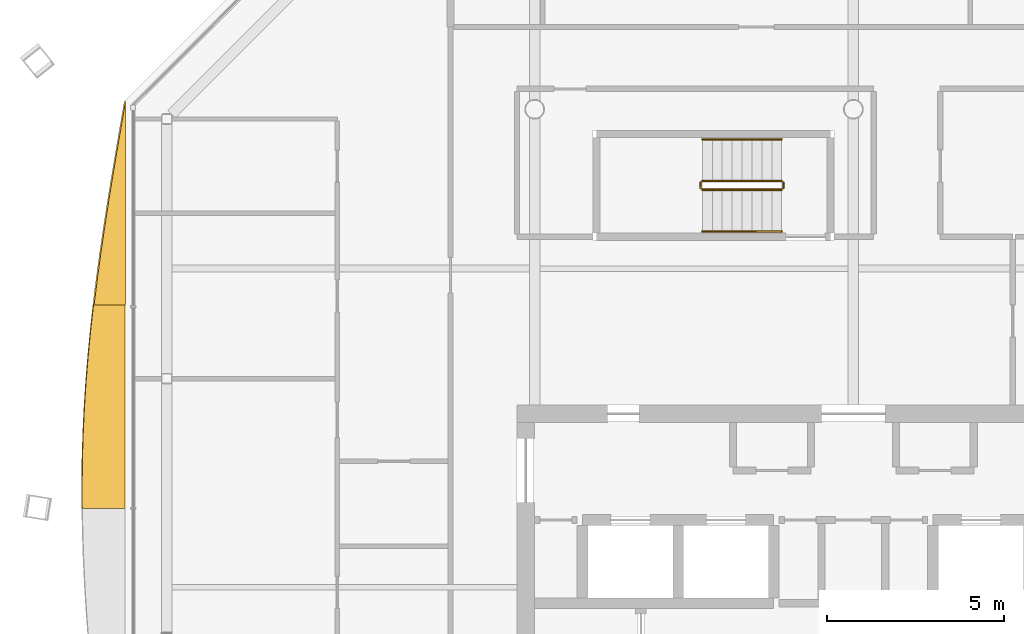
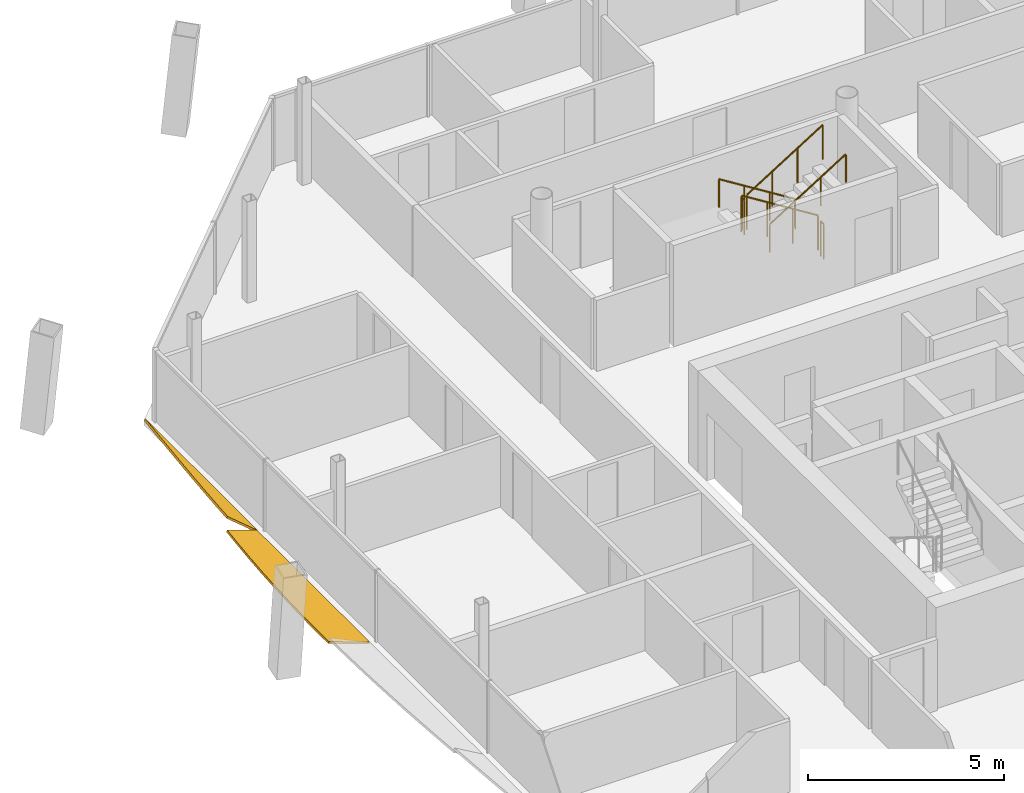
# One storey, part 15 of 16: 6 railings, 2 shading devices.
"""IFC4 building model written with IfcOpenShell, lengths in metres."""

import ifcopenshell
import ifcopenshell.guid

model = None  # the IFC model being written
_history = None  # IfcOwnerHistory: only IFC2X3 demands one
_inside = {}  # id of a spatial element -> (the spatial element, [elements in it])
_under = {}  # id of a project, library or spatial element -> (it, [spatial elements below it])
_declared = {}  # id of a project -> (the project, [libraries it declares])
_typed = {}  # id of a type object -> (the type object, [elements of that type])
_made_of = {}  # id of a material, layer set ... -> (it, [elements and type objects made of it])


def new_model(schema):
    """Start an empty IFC model of exactly this schema.

    Asked for "IFC4X3", IfcOpenShell would pick the latest addendum, in which some entities
    have other attributes; the version numbers below select the first issue.
    IFC2X3 requires an IfcOwnerHistory on every rooted entity: one is made here for all.
    """
    global model, _history
    if schema == "IFC4X3":
        model = ifcopenshell.file(schema_version=(4, 3, 0, 0))
    else:
        model = ifcopenshell.file(schema=schema)
    _inside.clear()
    _under.clear()
    _declared.clear()
    _typed.clear()
    _made_of.clear()
    _history = None
    if model.schema == "IFC2X3":
        org = make("IfcOrganization", Name="unknown")
        user = make(
            "IfcPersonAndOrganization",
            ThePerson=make("IfcPerson", FamilyName="unknown"),
            TheOrganization=org,
        )
        app = make(
            "IfcApplication",
            ApplicationDeveloper=org,
            Version="unknown",
            ApplicationFullName="unknown",
            ApplicationIdentifier="unknown",
        )
        _history = make(
            "IfcOwnerHistory",
            OwningUser=user,
            OwningApplication=app,
            ChangeAction="ADDED",
            CreationDate=0,
        )
    return model


def make(cls, **values):
    """One entity of the class cls with the attributes given. An attribute that is None is left unset."""
    return model.create_entity(
        cls, **{name: value for name, value in values.items() if value is not None}
    )


def rooted(cls, **values):
    """An entity with a GlobalId (a new one), such as an element, a storey or a relation."""
    return make(cls, GlobalId=ifcopenshell.guid.new(), OwnerHistory=_history, **values)


def si_unit(unit_type, name, prefix=None):
    """IfcSIUnit, for example si_unit("LENGTHUNIT", "METRE", prefix="MILLI")."""
    return make("IfcSIUnit", UnitType=unit_type, Prefix=prefix, Name=name)


def assignment(units):
    """IfcUnitAssignment: the units of a project."""
    return None if units is None else make("IfcUnitAssignment", Units=units)


def point(xyz):
    """IfcCartesianPoint."""
    return None if xyz is None else make("IfcCartesianPoint", Coordinates=xyz)


def direction(xyz):
    """IfcDirection."""
    return None if xyz is None else make("IfcDirection", DirectionRatios=xyz)


def frame(location, z_axis=None, x_axis=None):
    """IfcAxis2Placement3D, a coordinate frame: its origin and axes. An axis left out is left unset."""
    return make(
        "IfcAxis2Placement3D",
        Location=point(location),
        Axis=direction(z_axis),
        RefDirection=direction(x_axis),
    )


def frame_2d(location, x_axis=None):
    """IfcAxis2Placement2D, a coordinate frame in the plane: its origin and x axis."""
    return make(
        "IfcAxis2Placement2D", Location=point(location), RefDirection=direction(x_axis)
    )


def origin():
    """The frame at (0, 0, 0) with its axes left unset."""
    return frame((0.0, 0.0, 0.0))


def origin_2d():
    """The frame at (0, 0) in the plane with its x axis left unset."""
    return frame_2d((0.0, 0.0))


def place(relative_to, where):
    """IfcLocalPlacement: puts the frame where relative to a parent placement (None: the world)."""
    return make(
        "IfcLocalPlacement", PlacementRelTo=relative_to, RelativePlacement=where
    )


def context(
    kind, dimensions, precision=None, world=None, true_north=None, identifier=None
):
    """IfcGeometricRepresentationContext, for example the 3D "Model" context."""
    return make(
        "IfcGeometricRepresentationContext",
        ContextIdentifier=identifier,
        ContextType=kind,
        CoordinateSpaceDimension=dimensions,
        Precision=precision,
        WorldCoordinateSystem=world,
        TrueNorth=true_north,
    )


def subcontext(parent, identifier, kind, view, scale=None):
    """IfcGeometricRepresentationSubContext, for example "Body" below "Model"."""
    return make(
        "IfcGeometricRepresentationSubContext",
        ContextIdentifier=identifier,
        ContextType=kind,
        ParentContext=parent,
        TargetScale=scale,
        TargetView=view,
    )


def project(units=None, contexts=None):
    """IfcProject with its units and contexts."""
    return rooted(
        "IfcProject",
        Name="project",
        RepresentationContexts=contexts,
        UnitsInContext=assignment(units),
    )


def spatial(cls, under=None, at=None, **own):
    """A site, building, storey or space (cls), placed at a placement, below another one or the project."""
    s = rooted(cls, ObjectPlacement=at, **own)
    if under is not None:
        _under.setdefault(under.id(), (under, []))[1].append(s)
    return s


def polyline(points):
    """IfcPolyline through the points."""
    return make("IfcPolyline", Points=[point(p) for p in points])


def profile(cls, at=None, kind="AREA", **sizes):
    """A parametric profile (cls). Its sizes go by their IFC names, for example OverallWidth=200.0."""
    return make(cls, ProfileType=kind, Position=at, **sizes)


def circle(**sizes):
    """IfcCircleProfileDef."""
    return profile("IfcCircleProfileDef", **sizes)


def outline(outer, holes=None, kind="AREA"):
    """IfcArbitraryClosedProfileDef: a profile drawn as a closed curve; with holes, ...WithVoids."""
    if holes is None:
        return make("IfcArbitraryClosedProfileDef", ProfileType=kind, OuterCurve=outer)
    return make(
        "IfcArbitraryProfileDefWithVoids",
        ProfileType=kind,
        OuterCurve=outer,
        InnerCurves=holes,
    )


def extrude(swept, where, along, depth):
    """IfcExtrudedAreaSolid: the profile swept, set in the frame where, extruded along a direction by depth."""
    return make(
        "IfcExtrudedAreaSolid",
        SweptArea=swept,
        Position=where,
        ExtrudedDirection=direction(along),
        Depth=depth,
    )


def shape(context_of_items, identifier, shape_type, items):
    """IfcShapeRepresentation: the items that make up one representation, for example the "Body"."""
    return make(
        "IfcShapeRepresentation",
        ContextOfItems=context_of_items,
        RepresentationIdentifier=identifier,
        RepresentationType=shape_type,
        Items=items,
    )


def material(Name=None, Category=None):
    """IfcMaterial."""
    return make("IfcMaterial", Name=Name, Category=Category)


def layer(
    of_material, thickness, ventilated=None, Name=None, Category=None, Priority=None
):
    """IfcMaterialLayer: one layer of a wall or slab, of a material (None: an air gap)."""
    return make(
        "IfcMaterialLayer",
        Material=of_material,
        LayerThickness=thickness,
        IsVentilated=ventilated,
        Name=Name,
        Category=Category,
        Priority=Priority,
    )


def layer_set(layers, Name=None):
    """IfcMaterialLayerSet."""
    return make("IfcMaterialLayerSet", MaterialLayers=layers, LayerSetName=Name)


def made_of(thing, what):
    """Note that an element or type object is made of a material, layer set ...; save() writes the relation."""
    if what is not None:
        _made_of.setdefault(what.id(), (what, []))[1].append(thing)
    return thing


def type_object(cls, material=None, **own):
    """A type object (cls), such as IfcWallType, which elements share."""
    return made_of(rooted(cls, **own), material)


def element(
    cls,
    number,
    at=None,
    inside=None,
    cuts=None,
    type_object=None,
    material=None,
    context=None,
    identifier="Body",
    shape_type=None,
    held_by="IfcProductDefinitionShape",
    body=None,
    shapes=None,
    **own,
):
    """One element of the class cls, such as IfcWall. Its Tag is "e" and its number.

    at: its placement. inside: the storey or other place that contains it. cuts: it is an
    opening in that element (IfcRelVoidsElement). A single representation is given by context,
    identifier, shape_type and body (its items); several are given by shapes. held_by: the class
    of the entity that holds the representations. save() writes the other relations.
    """
    e = rooted(cls, Tag="e%d" % number, ObjectPlacement=at, **own)
    if body is not None:
        shapes = [shape(context, identifier, shape_type, body)]
    if shapes is not None:
        e.Representation = make(held_by, Representations=shapes)
    if inside is not None:
        _inside.setdefault(inside.id(), (inside, []))[1].append(e)
    if cuts is not None:
        rooted(
            "IfcRelVoidsElement", RelatingBuildingElement=cuts, RelatedOpeningElement=e
        )
    if type_object is not None:
        _typed.setdefault(type_object.id(), (type_object, []))[1].append(e)
    return made_of(e, material)


def aggregate(whole, parts):
    """IfcRelAggregates: a whole, such as a stair, and the parts it consists of."""
    return rooted("IfcRelAggregates", RelatingObject=whole, RelatedObjects=parts)


def save(model, path):
    """Write the relations noted so far, then the file.

    IfcRelAggregates (storeys below a building ...), IfcRelContainedInSpatialStructure (elements
    in a storey), IfcRelDefinesByType, IfcRelAssociatesMaterial and IfcRelDeclares: one each for
    every whole, place, type object, material and project.
    """
    for whole, parts in _under.values():
        aggregate(whole, parts)
    for where, things in _inside.values():
        rooted(
            "IfcRelContainedInSpatialStructure",
            RelatedElements=things,
            RelatingStructure=where,
        )
    for kind, things in _typed.values():
        rooted("IfcRelDefinesByType", RelatedObjects=things, RelatingType=kind)
    for what, things in _made_of.values():
        rooted("IfcRelAssociatesMaterial", RelatedObjects=things, RelatingMaterial=what)
    for by, libraries in _declared.values():
        rooted("IfcRelDeclares", RelatingContext=by, RelatedDefinitions=libraries)
    model.write(path)


model = new_model("IFC4")

# Units and contexts
model_context = context("Model", 3, precision=1e-05, world=origin(), true_north=direction((0.0, 1.0)))
body_context = subcontext(model_context, "Body", "Model", "MODEL_VIEW")
ifc_project = project(units=[si_unit("LENGTHUNIT", "METRE"), si_unit("AREAUNIT", "SQUARE_METRE"), si_unit("VOLUMEUNIT", "CUBIC_METRE"), si_unit("PLANEANGLEUNIT", "RADIAN"), si_unit("MASSUNIT", "GRAM", prefix="KILO")], contexts=[model_context])

# Site, building, storey
site_placement = place(None, origin())
site = spatial("IfcSite", under=ifc_project, at=site_placement, CompositionType="ELEMENT")
building_placement = place(site_placement, origin())
building = spatial("IfcBuilding", under=site, at=building_placement, Name="Tskaro Facet Tower", CompositionType="ELEMENT")
storey_placement = place(building_placement, frame((0.0, 0.0, 251.85009765625)))
storey = spatial("IfcBuildingStorey", under=building, at=storey_placement, Name="L66", CompositionType="ELEMENT", Elevation=251.85009765625)

# Shading devices
ifc_material_1 = material(Name="Bronze anodised aluminium 6063-T6", Category="aluminium")
ifc_layer = layer(ifc_material_1, 0.06005859375, Name="Bronze anodised aluminium 6063-T6")
ifc_layer_set = layer_set([ifc_layer], Name="Bronze anodised aluminium 6063-T6")
shading_device_type = type_object("IfcShadingDeviceType", Name="Bronze sun blade (FN1)", PredefinedType="USERDEFINED", material=ifc_layer_set)
shading_device_1_placement = place(storey_placement, frame((-20.552490234375, 9.221923828125, 0.0458984375), z_axis=(0.642815020788, -6.89892e-06, 0.766021441607), x_axis=(-4.434729e-06, -0.999999999976, -5.284721e-06)))
element("IfcShadingDevice", 1, at=shading_device_1_placement, inside=storey, type_object=shading_device_type, Name="Fin blade west 1", ObjectType="FIN", PredefinedType="USERDEFINED", context=body_context, shape_type="SweptSolid", body=[
    extrude(outline(polyline([(0.0, 0.0), (5.746582031113245, -4.867544314568291e-21), (5.74658203135578, -1.158809226128013), (5.028320312244037, -1.0425252362454365), (4.310058593944327, -0.9149875351614483), (3.59155273479407, -0.7779158939483487), (2.8732910165033982, -0.6325291922030396), (2.1550292963270348, -0.4803601840442999), (1.4365234373482232, -0.32318879992959704), (0.7182617176139693, -0.16236077702418783), (0.0, 0.0)])), origin(), (0.0, 0.0, -1.0), 0.06005859375),
])
shading_device_2_placement = place(storey_placement, frame((-20.570556640625, 3.475341796875, 0.056396484375), z_axis=(0.341969346786, 2.447399e-06, 0.939711107656), x_axis=(8.36935e-07, -0.999999999997, 2.299848e-06)))
element("IfcShadingDevice", 2, at=shading_device_2_placement, inside=storey, type_object=shading_device_type, Name="Fin blade west 2", ObjectType="FIN", PredefinedType="USERDEFINED", context=body_context, shape_type="SweptSolid", body=[
    extrude(outline(polyline([(0.0, 0.0), (5.746826171857789, 0.0), (5.746826171867483, -1.282913175243493), (5.195068359163123, -1.286000189569435), (5.028564453117951, -1.2857707679122916), (4.310058593648833, -1.2758839044000683), (3.5917968749659592, -1.2522514094681938), (2.8735351560356723, -1.2153321264309551), (2.1550292971516156, -1.1655224541656062), (1.4367675783893117, -1.103427169033522), (0.718505859276587, -1.0295886029590446), (-9.724435786566552e-11, -0.9446325764765715), (0.0, 0.0)])), origin(), (0.0, 0.0, -1.0), 0.06005859375),
])

# Railings
ifc_material_2 = material(Name="Stainless steel", Category="steel")
railing_type_1 = type_object("IfcRailingType", Name="RL-GUARD-1100", PredefinedType="GUARDRAIL", material=ifc_material_2)
railing_1_placement = place(storey_placement, frame((-2.02490234375, 6.97509765625, 0.1748046875)))
element("IfcRailing", 3, at=railing_1_placement, inside=storey, type_object=railing_type_1, Name="L66 ST-3 stair guard 1", PredefinedType="GUARDRAIL", context=body_context, shape_type="SweptSolid", body=[
    extrude(circle(Radius=0.02392578125, at=origin_2d()), frame((0.0, 0.0, 1.076171875), z_axis=(-0.847972341737, 0.0, 0.530040477369), x_axis=(0.0, -1.0, 0.0)), (0.0, 0.0, 1.0), 2.6416015625),
    extrude(circle(Radius=0.02099609375, at=origin_2d()), origin(), (0.0, 0.0, 1.0), 1.052001953125),
    extrude(circle(Radius=0.02099609375, at=origin_2d()), frame((-0.74658203125, 0.0, 0.466796875)), (0.0, 0.0, 1.0), 1.052001953125),
    extrude(circle(Radius=0.02099609375, at=origin_2d()), frame((-1.493408203125, 0.0, 0.933349609375)), (0.0, 0.0, 1.0), 1.052001953125),
    extrude(circle(Radius=0.02099609375, at=origin_2d()), frame((-2.239990234375, 0.0, 1.400146484375)), (0.0, 0.0, 1.0), 1.052001953125),
])
railing_2_placement = place(storey_placement, frame((-4.31494140625, 6.925048828125, 1.574951171875)))
element("IfcRailing", 4, at=railing_2_placement, inside=storey, type_object=railing_type_1, Name="L66 ST-3 stair guard 2", PredefinedType="GUARDRAIL", context=body_context, shape_type="SweptSolid", body=[
    extrude(circle(Radius=0.02392578125, at=origin_2d()), frame((0.0, 0.0, 1.076171875), z_axis=(0.0, -1.0, 0.0), x_axis=(1.0, 0.0, 0.0)), (0.0, 0.0, 1.0), 0.150146484375),
    extrude(circle(Radius=0.02099609375, at=origin_2d()), origin(), (0.0, 0.0, 1.0), 1.052001953125),
    extrude(circle(Radius=0.02099609375, at=origin_2d()), frame((0.0, -0.150146484375, 0.0)), (0.0, 0.0, 1.0), 1.052001953125),
])
railing_3_placement = place(storey_placement, frame((-4.264892578125, 6.72509765625, 1.75)))
element("IfcRailing", 5, at=railing_3_placement, inside=storey, type_object=railing_type_1, Name="L66 ST-3 stair guard 3", PredefinedType="GUARDRAIL", context=body_context, shape_type="SweptSolid", body=[
    extrude(circle(Radius=0.02392578125, at=origin_2d()), frame((0.0, 0.0, 1.076171875), z_axis=(0.848013881152, 0.0, 0.529974015752), x_axis=(0.0, 1.0, 0.0)), (0.0, 0.0, 1.0), 2.641357421875),
    extrude(circle(Radius=0.02099609375, at=origin_2d()), origin(), (0.0, 0.0, 1.0), 1.052001953125),
    extrude(circle(Radius=0.02099609375, at=origin_2d()), frame((0.74658203125, 0.0, 0.466552734375)), (0.0, 0.0, 1.0), 1.052001953125),
    extrude(circle(Radius=0.02099609375, at=origin_2d()), frame((1.493408203125, 0.0, 0.933349609375)), (0.0, 0.0, 1.0), 1.052001953125),
    extrude(circle(Radius=0.02099609375, at=origin_2d()), frame((2.239990234375, 0.0, 1.39990234375)), (0.0, 0.0, 1.0), 1.052001953125),
])
railing_4_placement = place(storey_placement, frame((-1.97509765625, 6.925048828125, 0.0)))
element("IfcRailing", 6, at=railing_4_placement, inside=storey, type_object=railing_type_1, Name="L66 ST-3 stair guard 4", PredefinedType="GUARDRAIL", context=body_context, shape_type="SweptSolid", body=[
    extrude(circle(Radius=0.02392578125, at=origin_2d()), frame((0.0, 0.0, 1.076171875), z_axis=(0.0, -1.0, 0.0), x_axis=(1.0, 0.0, 0.0)), (0.0, 0.0, 1.0), 0.150146484375),
    extrude(circle(Radius=0.02099609375, at=origin_2d()), origin(), (0.0, 0.0, 1.0), 1.052001953125),
    extrude(circle(Radius=0.02099609375, at=origin_2d()), frame((0.0, -0.150146484375, 0.0)), (0.0, 0.0, 1.0), 1.052001953125),
])
railing_type_2 = type_object("IfcRailingType", Name="RL-HANDRAIL-900", PredefinedType="HANDRAIL", material=ifc_material_2)
railing_5_placement = place(storey_placement, frame((-2.02490234375, 8.14990234375, 0.1748046875)))
element("IfcRailing", 7, at=railing_5_placement, inside=storey, type_object=railing_type_2, Name="L66 ST-3 stair handrail 1", PredefinedType="HANDRAIL", context=body_context, shape_type="SweptSolid", body=[
    extrude(circle(Radius=0.02392578125, at=origin_2d()), frame((0.0, 0.0, 0.8759765625), z_axis=(-0.847972341737, 0.0, 0.530040477369), x_axis=(0.0, -1.0, 0.0)), (0.0, 0.0, 1.0), 2.6416015625),
    extrude(circle(Radius=0.02099609375, at=origin_2d()), origin(), (0.0, 0.0, 1.0), 0.851806640625),
    extrude(circle(Radius=0.02099609375, at=origin_2d()), frame((-0.74658203125, 0.0, 0.466796875)), (0.0, 0.0, 1.0), 0.851806640625),
    extrude(circle(Radius=0.02099609375, at=origin_2d()), frame((-1.493408203125, 0.0, 0.933349609375)), (0.0, 0.0, 1.0), 0.851806640625),
    extrude(circle(Radius=0.02099609375, at=origin_2d()), frame((-2.239990234375, 0.0, 1.400146484375)), (0.0, 0.0, 1.0), 0.851806640625),
])
railing_6_placement = place(storey_placement, frame((-4.264892578125, 5.550048828125, 1.75)))
element("IfcRailing", 8, at=railing_6_placement, inside=storey, type_object=railing_type_2, Name="L66 ST-3 stair handrail 2", PredefinedType="HANDRAIL", context=body_context, shape_type="SweptSolid", body=[
    extrude(circle(Radius=0.02392578125, at=origin_2d()), frame((0.0, 0.0, 0.8759765625), z_axis=(0.848013881152, 0.0, 0.529974015752), x_axis=(0.0, 1.0, 0.0)), (0.0, 0.0, 1.0), 2.641357421875),
    extrude(circle(Radius=0.02099609375, at=origin_2d()), origin(), (0.0, 0.0, 1.0), 0.851806640625),
    extrude(circle(Radius=0.02099609375, at=origin_2d()), frame((0.74658203125, 0.0, 0.466552734375)), (0.0, 0.0, 1.0), 0.851806640625),
    extrude(circle(Radius=0.02099609375, at=origin_2d()), frame((1.493408203125, 0.0, 0.933349609375)), (0.0, 0.0, 1.0), 0.851806640625),
    extrude(circle(Radius=0.02099609375, at=origin_2d()), frame((2.239990234375, 0.0, 1.39990234375)), (0.0, 0.0, 1.0), 0.851806640625),
])

save(model, "model.ifc")
